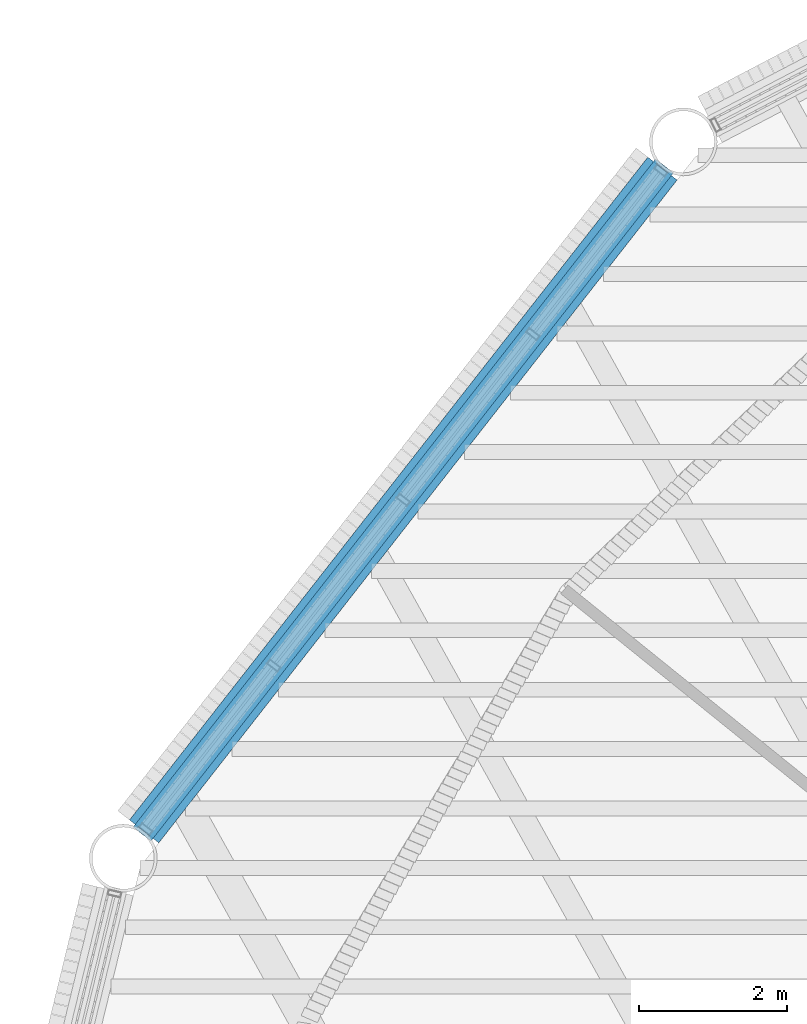
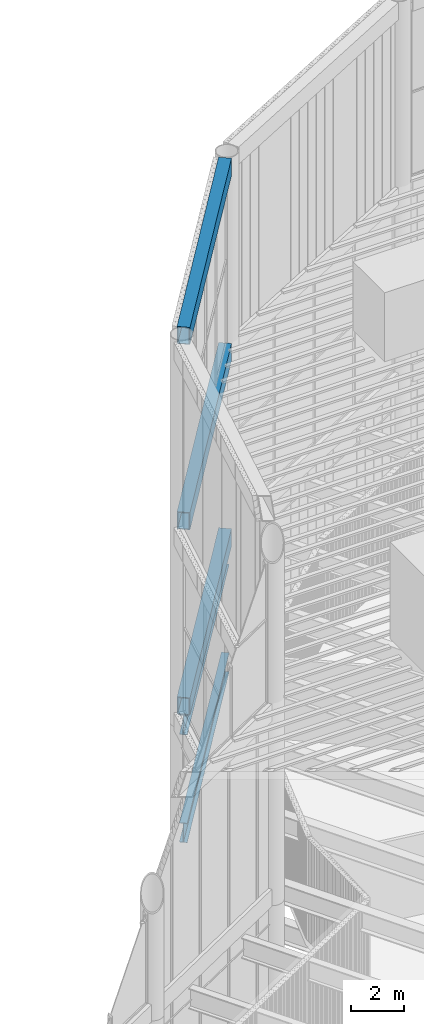
# One storey, part 44 of 117: 5 beams.
"""IFC4 building model written with IfcOpenShell, lengths in metres."""

from ifc_helpers import new_model, si_unit, direction, frame, origin, origin_2d, place, context, subcontext, project, spatial, hollow_rectangle, i_section, extrude, material, material_profile, profile_set, type_object, element, save


model = new_model("IFC4")

# Units and contexts
model_context = context("Model", 3, precision=1e-05, world=origin(), true_north=direction((0.0, 1.0)))
body_context = subcontext(model_context, "Body", "Model", "MODEL_VIEW")
ifc_project = project(units=[si_unit("LENGTHUNIT", "METRE"), si_unit("AREAUNIT", "SQUARE_METRE"), si_unit("VOLUMEUNIT", "CUBIC_METRE"), si_unit("PLANEANGLEUNIT", "RADIAN"), si_unit("MASSUNIT", "GRAM", prefix="KILO")], contexts=[model_context])

# Site, building, storey
site_placement = place(None, origin())
site = spatial("IfcSite", under=ifc_project, at=site_placement, CompositionType="ELEMENT")
building_placement = place(site_placement, origin())
building = spatial("IfcBuilding", under=site, at=building_placement, Name="Tarsis Ring Headquarters", CompositionType="ELEMENT")
storey_placement = place(building_placement, frame((0.0, 0.0, 403.60009765625)))
storey = spatial("IfcBuildingStorey", under=building, at=storey_placement, Name="L95", CompositionType="ELEMENT", Elevation=403.60009765625)

# Beams
ifc_material = material(Name="Structural steel S355", Category="steel")
ifc_material_profile_1 = material_profile(ifc_material, hollow_rectangle(XDim=0.5, YDim=0.800048828125, WallThickness=0.030029296875, at=origin_2d()), Name="RHS 800x500x30")
ifc_profile_set_1 = profile_set([ifc_material_profile_1], Name="Structural steel S355")
beam_type_1 = type_object("IfcBeamType", Name="Crown frame ring beam RHS 800x500x30", PredefinedType="BEAM", material=ifc_profile_set_1)
for number, where, z_axis, x_axis, name in (
    (1, (-18.877685546875, 21.955810546875, 5.39990234375), (-0.615996338464, -0.787749015232, 0.0), (0.787749015232, -0.615996338464, 0.0), "Crown frame ring beam R12"),
    (2, (-18.877685546875, 21.955810546875, 14.0), (-0.615996338464, -0.787749015232, 0.0), (0.787749015232, -0.615996338464, 0.0), "Crown frame ring beam M12"),
    (3, (-18.877685546875, 21.955810546875, 22.599853515625), (-0.615996338464, -0.787749015232, 0.0), (0.787749015232, -0.615996338464, 0.0), "Crown frame ring beam T12"),
):
    element("IfcBeam", number, at=place(storey_placement, frame(where, z_axis=z_axis, x_axis=x_axis)), inside=storey, type_object=beam_type_1, Name=name, PredefinedType="BEAM", context=body_context, shape_type="SweptSolid", body=[
        extrude(hollow_rectangle(XDim=0.5, YDim=0.800048828125, WallThickness=0.030029296875, at=origin_2d()), origin(), (0.0, 0.0, 1.0), 11.334716796875),
    ])
ifc_material_profile_2 = material_profile(ifc_material, i_section(OverallWidth=0.3046875, OverallDepth=0.904296875, WebThickness=0.01513671875, FlangeThickness=0.02001953125, at=origin_2d()), Name="W36x135")
ifc_profile_set_2 = profile_set([ifc_material_profile_2], Name="Structural steel S355")
beam_type_2 = type_object("IfcBeamType", Name="XG Ring girder W36x135", PredefinedType="BEAM", material=ifc_profile_set_2)
for number, where, z_axis, x_axis, name in (
    (4, (-18.849609375, 21.99169921875, -0.4521484375), (-0.615997674087, -0.787747970813, 0.0), (0.787747970813, -0.615997674087, 0.0), "Ring girder XG5"),
    (5, (-18.849609375, 21.99169921875, 4.5478515625), (-0.615997674087, -0.787747970813, 0.0), (0.787747970813, -0.615997674087, 0.0), "Ring girder XG5"),
):
    element("IfcBeam", number, at=place(storey_placement, frame(where, z_axis=z_axis, x_axis=x_axis)), inside=storey, type_object=beam_type_2, Name=name, PredefinedType="BEAM", context=body_context, shape_type="SweptSolid", body=[
        extrude(i_section(OverallWidth=0.3046875, OverallDepth=0.904296875, WebThickness=0.01513671875, FlangeThickness=0.02001953125, at=origin_2d()), origin(), (0.0, 0.0, 1.0), 11.426025390625),
    ])

save(model, "model.ifc")
